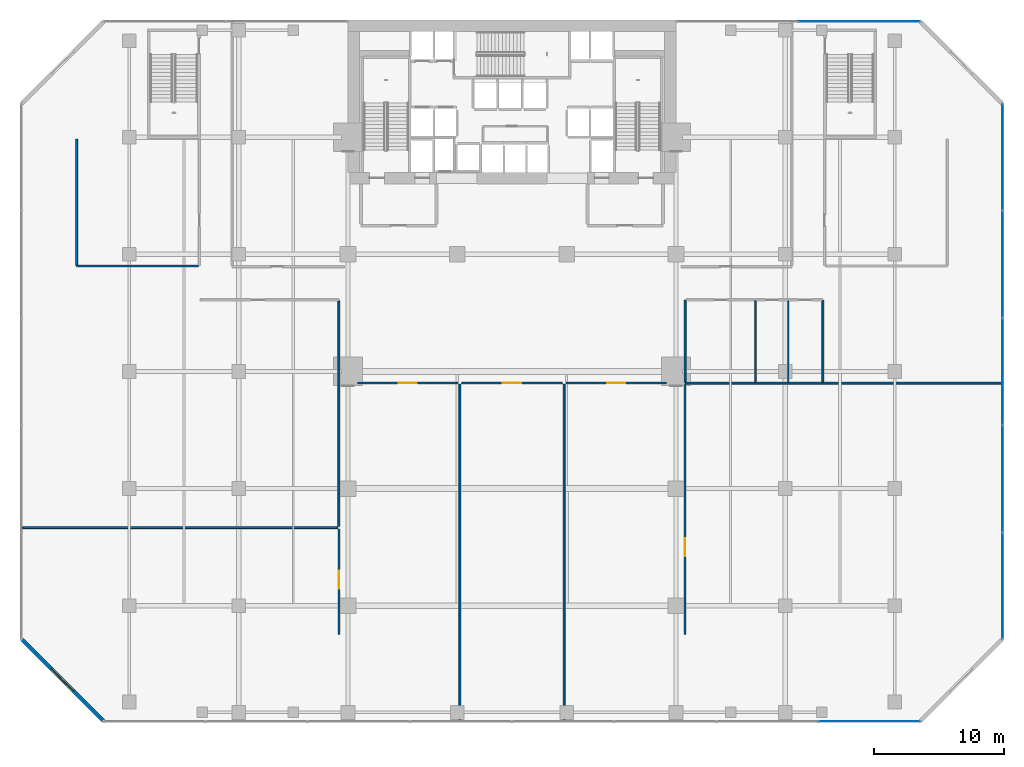
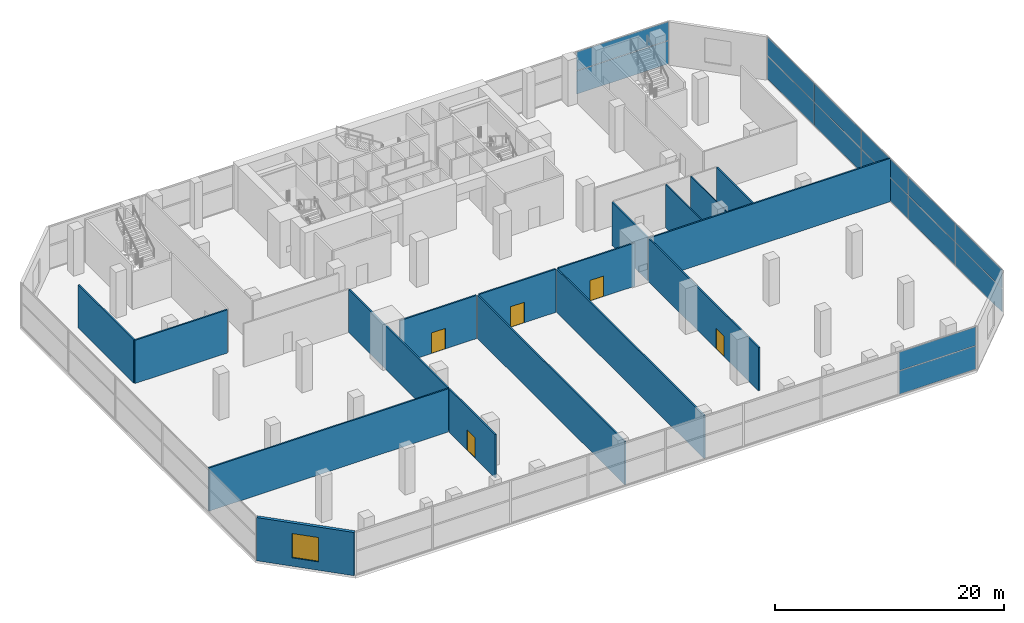
# One storey, part 34 of 39: 17 walls, 14 plates, 5 doors, 1 window, 6 openings, 3 elements without a shape of their own.
"""IFC4 building model written with IfcOpenShell, lengths in metres."""

from ifc_helpers import new_model, si_unit, direction, frame, frame_2d, origin, origin_2d, place, context, subcontext, project, spatial, rectangle, extrude, material, layer, layer_set, type_object, element, fill, aggregate, save


model = new_model("IFC4")

# Units and contexts
model_context = context("Model", 3, precision=1e-05, world=origin(), true_north=direction((0.0, 1.0)))
body_context = subcontext(model_context, "Body", "Model", "MODEL_VIEW")
ifc_project = project(units=[si_unit("LENGTHUNIT", "METRE"), si_unit("AREAUNIT", "SQUARE_METRE"), si_unit("VOLUMEUNIT", "CUBIC_METRE"), si_unit("PLANEANGLEUNIT", "RADIAN"), si_unit("MASSUNIT", "GRAM", prefix="KILO")], contexts=[model_context])

# Site, building, storey
site_placement = place(None, origin())
site = spatial("IfcSite", under=ifc_project, at=site_placement, CompositionType="ELEMENT")
building_placement = place(site_placement, origin())
building = spatial("IfcBuilding", under=site, at=building_placement, Name="Maruvema Waterfront Hotel and Observation Tower", CompositionType="ELEMENT")
storey_placement = place(building_placement, frame((0.0, 0.0, 16.449951171875)))
storey = spatial("IfcBuildingStorey", under=building, at=storey_placement, Name="L03", CompositionType="ELEMENT", Elevation=16.449951171875)

# Curtain wall, plates
ifc_material_1 = material(Name="Anodised bronze aluminium and solar-control low-E IGU", Category="aluminium")
ifc_layer_1 = layer(ifc_material_1, 0.159912109375, Name="Podium Waterfront Storefront Curtain Wall System CW-01")
ifc_layer_set_1 = layer_set([ifc_layer_1], Name="Anodised bronze aluminium and solar-control low-E IGU")
curtain_wall_type = type_object("IfcCurtainWallType", Name="Podium Waterfront Storefront Curtain Wall System CW-01", PredefinedType="USERDEFINED", material=ifc_layer_set_1)
curtain_wall_1_placement = place(storey_placement, origin())
curtain_wall_1 = element("IfcCurtainWall", 1, at=curtain_wall_1_placement, inside=storey, type_object=curtain_wall_type, Name="L03 Curtain Wall CW-L03-S", ObjectType="UNITISED CURTAIN WALL", PredefinedType="USERDEFINED")
ifc_material_2 = material(Name="Laminated low-E solar-control double glazing", Category="glass")
ifc_layer_2 = layer(ifc_material_2, 0.035888671875, Name="Solar Control Double-Glazed Curtain Panel 36 mm")
ifc_layer_set_2 = layer_set([ifc_layer_2], Name="Laminated low-E solar-control double glazing")
plate_type = type_object("IfcPlateType", Name="Solar Control Double-Glazed Curtain Panel 36 mm", PredefinedType="CURTAIN_PANEL", material=ifc_layer_set_2)
plate_1_placement = place(storey_placement, frame((65.260009765625, 0.1201171875, 0.06005859375), z_axis=(0.0, 0.0, 1.0), x_axis=(1.0, 0.0, 0.0)))
plate_1 = element("IfcPlate", 2, at=plate_1_placement, type_object=plate_type, Name="CW-01 panel 8.1", PredefinedType="CURTAIN_PANEL", context=body_context, shape_type="SweptSolid", body=[
    extrude(rectangle(XDim=7.760009765625, YDim=0.028076171875, at=origin_2d()), origin(), (0.0, 0.0, 1.0), 2.4599609375),
])
plate_2_placement = place(storey_placement, frame((65.260009765625, 0.1201171875, 2.580078125), z_axis=(0.0, 0.0, 1.0), x_axis=(1.0, 0.0, 0.0)))
plate_2 = element("IfcPlate", 3, at=plate_2_placement, type_object=plate_type, Name="CW-01 panel 8.2", PredefinedType="CURTAIN_PANEL", context=body_context, shape_type="SweptSolid", body=[
    extrude(rectangle(XDim=7.760009765625, YDim=0.028076171875, at=origin_2d()), origin(), (0.0, 0.0, 1.0), 1.97998046875),
])
aggregate(curtain_wall_1, [plate_1, plate_2])

curtain_wall_2_placement = place(storey_placement, origin())
curtain_wall_2 = element("IfcCurtainWall", 4, at=curtain_wall_2_placement, inside=storey, type_object=curtain_wall_type, Name="L03 Curtain Wall CW-L03-E", ObjectType="UNITISED CURTAIN WALL", PredefinedType="USERDEFINED")
plate_3_placement = place(storey_placement, frame((75.47998046875, 10.534912109375, 0.06005859375), z_axis=(0.0, 0.0, 1.0), x_axis=(0.0, 1.0, 0.0)))
plate_3 = element("IfcPlate", 5, at=plate_3_placement, type_object=plate_type, Name="CW-01 panel 1.1", PredefinedType="CURTAIN_PANEL", context=body_context, shape_type="SweptSolid", body=[
    extrude(rectangle(XDim=8.14990234375, YDim=0.028076171875, at=origin_2d()), origin(), (0.0, 0.0, 1.0), 2.4599609375),
])
plate_4_placement = place(storey_placement, frame((75.47998046875, 10.534912109375, 2.580078125), z_axis=(0.0, 0.0, 1.0), x_axis=(0.0, 1.0, 0.0)))
plate_4 = element("IfcPlate", 6, at=plate_4_placement, type_object=plate_type, Name="CW-01 panel 1.2", PredefinedType="CURTAIN_PANEL", context=body_context, shape_type="SweptSolid", body=[
    extrude(rectangle(XDim=8.14990234375, YDim=0.028076171875, at=origin_2d()), origin(), (0.0, 0.0, 1.0), 1.97998046875),
])
plate_5_placement = place(storey_placement, frame((75.47998046875, 18.760009765625, 0.06005859375), z_axis=(0.0, 0.0, 1.0), x_axis=(0.0, 1.0, 0.0)))
plate_5 = element("IfcPlate", 7, at=plate_5_placement, type_object=plate_type, Name="CW-01 panel 2.1", PredefinedType="CURTAIN_PANEL", context=body_context, shape_type="SweptSolid", body=[
    extrude(rectangle(XDim=8.179931640625, YDim=0.028076171875, at=origin_2d()), origin(), (0.0, 0.0, 1.0), 2.4599609375),
])
plate_6_placement = place(storey_placement, frame((75.47998046875, 18.760009765625, 2.580078125), z_axis=(0.0, 0.0, 1.0), x_axis=(0.0, 1.0, 0.0)))
plate_6 = element("IfcPlate", 8, at=plate_6_placement, type_object=plate_type, Name="CW-01 panel 2.2", PredefinedType="CURTAIN_PANEL", context=body_context, shape_type="SweptSolid", body=[
    extrude(rectangle(XDim=8.179931640625, YDim=0.028076171875, at=origin_2d()), origin(), (0.0, 0.0, 1.0), 1.97998046875),
])
plate_7_placement = place(storey_placement, frame((75.47998046875, 27.0, 0.06005859375), z_axis=(0.0, 0.0, 1.0), x_axis=(0.0, 1.0, 0.0)))
plate_7 = element("IfcPlate", 9, at=plate_7_placement, type_object=plate_type, Name="CW-01 panel 3.1", PredefinedType="CURTAIN_PANEL", context=body_context, shape_type="SweptSolid", body=[
    extrude(rectangle(XDim=8.179931640625, YDim=0.028076171875, at=origin_2d()), origin(), (0.0, 0.0, 1.0), 2.4599609375),
])
plate_8_placement = place(storey_placement, frame((75.47998046875, 27.0, 2.580078125), z_axis=(0.0, 0.0, 1.0), x_axis=(0.0, 1.0, 0.0)))
plate_8 = element("IfcPlate", 10, at=plate_8_placement, type_object=plate_type, Name="CW-01 panel 3.2", PredefinedType="CURTAIN_PANEL", context=body_context, shape_type="SweptSolid", body=[
    extrude(rectangle(XDim=8.179931640625, YDim=0.028076171875, at=origin_2d()), origin(), (0.0, 0.0, 1.0), 1.97998046875),
])
plate_9_placement = place(storey_placement, frame((75.47998046875, 35.239990234375, 0.06005859375), z_axis=(0.0, 0.0, 1.0), x_axis=(0.0, 1.0, 0.0)))
plate_9 = element("IfcPlate", 11, at=plate_9_placement, type_object=plate_type, Name="CW-01 panel 4.1", PredefinedType="CURTAIN_PANEL", context=body_context, shape_type="SweptSolid", body=[
    extrude(rectangle(XDim=8.179931640625, YDim=0.028076171875, at=origin_2d()), origin(), (0.0, 0.0, 1.0), 2.4599609375),
])
plate_10_placement = place(storey_placement, frame((75.47998046875, 35.239990234375, 2.580078125), z_axis=(0.0, 0.0, 1.0), x_axis=(0.0, 1.0, 0.0)))
plate_10 = element("IfcPlate", 12, at=plate_10_placement, type_object=plate_type, Name="CW-01 panel 4.2", PredefinedType="CURTAIN_PANEL", context=body_context, shape_type="SweptSolid", body=[
    extrude(rectangle(XDim=8.179931640625, YDim=0.028076171875, at=origin_2d()), origin(), (0.0, 0.0, 1.0), 1.97998046875),
])
plate_11_placement = place(storey_placement, frame((75.47998046875, 43.465087890625, 0.06005859375), z_axis=(0.0, 0.0, 1.0), x_axis=(0.0, 1.0, 0.0)))
plate_11 = element("IfcPlate", 13, at=plate_11_placement, type_object=plate_type, Name="CW-01 panel 5.1", PredefinedType="CURTAIN_PANEL", context=body_context, shape_type="SweptSolid", body=[
    extrude(rectangle(XDim=8.14990234375, YDim=0.028076171875, at=origin_2d()), origin(), (0.0, 0.0, 1.0), 2.4599609375),
])
plate_12_placement = place(storey_placement, frame((75.47998046875, 43.465087890625, 2.580078125), z_axis=(0.0, 0.0, 1.0), x_axis=(0.0, 1.0, 0.0)))
plate_12 = element("IfcPlate", 14, at=plate_12_placement, type_object=plate_type, Name="CW-01 panel 5.2", PredefinedType="CURTAIN_PANEL", context=body_context, shape_type="SweptSolid", body=[
    extrude(rectangle(XDim=8.14990234375, YDim=0.028076171875, at=origin_2d()), origin(), (0.0, 0.0, 1.0), 1.97998046875),
])
aggregate(curtain_wall_2, [plate_3, plate_4, plate_5, plate_6, plate_7, plate_8, plate_9, plate_10, plate_11, plate_12])

curtain_wall_3_placement = place(storey_placement, origin())
curtain_wall_3 = element("IfcCurtainWall", 15, at=curtain_wall_3_placement, inside=storey, type_object=curtain_wall_type, Name="L03 Curtain Wall CW-L03-NE", ObjectType="UNITISED CURTAIN WALL", PredefinedType="USERDEFINED")
plate_13_placement = place(storey_placement, frame((64.485107421875, 53.8798828125, 0.06005859375), z_axis=(0.0, 0.0, 1.0), x_axis=(-1.0, 0.0, 0.0)))
plate_13 = element("IfcPlate", 16, at=plate_13_placement, type_object=plate_type, Name="CW-01 panel 1.1", PredefinedType="CURTAIN_PANEL", context=body_context, shape_type="SweptSolid", body=[
    extrude(rectangle(XDim=9.31005859375, YDim=0.028076171875, at=origin_2d()), origin(), (0.0, 0.0, 1.0), 2.4599609375),
])
plate_14_placement = place(storey_placement, frame((64.485107421875, 53.8798828125, 2.580078125), z_axis=(0.0, 0.0, 1.0), x_axis=(-1.0, 0.0, 0.0)))
plate_14 = element("IfcPlate", 17, at=plate_14_placement, type_object=plate_type, Name="CW-01 panel 1.2", PredefinedType="CURTAIN_PANEL", context=body_context, shape_type="SweptSolid", body=[
    extrude(rectangle(XDim=9.31005859375, YDim=0.028076171875, at=origin_2d()), origin(), (0.0, 0.0, 1.0), 1.97998046875),
])
aggregate(curtain_wall_3, [plate_13, plate_14])

# Wall, opening, door
ifc_material_3 = material(Name="Twin-stud acoustic gypsum drywall", Category="gypsum")
ifc_layer_3 = layer(ifc_material_3, 0.14990234375, Name="Acoustic Corridor and Suite Demising Wall 150 mm")
ifc_layer_set_3 = layer_set([ifc_layer_3], Name="Twin-stud acoustic gypsum drywall")
wall_type_1 = type_object("IfcWallType", Name="Acoustic Corridor and Suite Demising Wall 150 mm", PredefinedType="PARTITIONING", material=ifc_layer_set_3)
wall_1_placement = place(storey_placement, frame((25.929931640625, 26.10009765625, 0.0), z_axis=(0.0, 0.0, 1.0), x_axis=(1.0, 0.0, 0.0)))
wall_1 = element("IfcWall", 18, at=wall_1_placement, inside=storey, type_object=wall_type_1, Name="L03 L03 Meeting Wall 1 013", PredefinedType="PARTITIONING", context=body_context, shape_type="SweptSolid", body=[
    extrude(rectangle(XDim=7.739990234375, YDim=0.14990234375, at=frame_2d((3.8701171875, 0.0))), origin(), (0.0, 0.0, 1.0), 4.6201171875),
])
opening_1_placement = place(wall_1_placement, frame((3.169921875, 0.0, 0.0)))
opening_1 = element("IfcOpeningElement", 19, at=opening_1_placement, cuts=wall_1, Name="Opening DR-140", PredefinedType="OPENING", context=body_context, shape_type="SweptSolid", body=[
    extrude(rectangle(XDim=1.39990234375, YDim=2.199951171875, at=frame_2d((0.699951171875, 1.10009765625))), frame((0.0, 0.0849609375, 0.0), z_axis=(0.0, -1.0, 0.0), x_axis=(1.0, 0.0, 0.0)), (0.0, 0.0, 1.0), 0.169921875),
])
ifc_material_4 = material(Name="Anodised bronze framed acoustic glass leaf", Category="glass")
door_type = type_object("IfcDoorType", Name="Conference and Restaurant Double Door 1400x2200 mm", OperationType="DOUBLE_DOOR_SINGLE_SWING", PredefinedType="DOOR", material=ifc_material_4)
door_1_placement = place(opening_1_placement, origin())
door_1 = element("IfcDoor", 20, at=door_1_placement, inside=storey, type_object=door_type, Name="L03 Meeting Room 1 Door", OperationType="DOUBLE_DOOR_SINGLE_SWING", OverallHeight=2.199951171875, OverallWidth=1.39990234375, PredefinedType="DOOR", context=body_context, shape_type="SweptSolid", body=[
    extrude(rectangle(XDim=1.39990234375, YDim=2.199951171875, at=frame_2d((0.699951171875, 1.10009765625))), frame((0.0, 0.02490234375, 0.0), z_axis=(0.0, -1.0, 0.0), x_axis=(1.0, 0.0, 0.0)), (0.0, 0.0, 1.0), 0.050048828125),
])
fill(opening_1, door_1)

wall_2_placement = place(storey_placement, frame((33.929931640625, 26.10009765625, 0.0), z_axis=(0.0, 0.0, 1.0), x_axis=(1.0, 0.0, 0.0)))
wall_2 = element("IfcWall", 21, at=wall_2_placement, inside=storey, type_object=wall_type_1, Name="L03 L03 Meeting Wall 2 014", PredefinedType="PARTITIONING", context=body_context, shape_type="SweptSolid", body=[
    extrude(rectangle(XDim=7.739990234375, YDim=0.14990234375, at=frame_2d((3.8701171875, 0.0))), origin(), (0.0, 0.0, 1.0), 4.6201171875),
])
opening_2_placement = place(wall_2_placement, frame((3.169921875, 0.0, 0.0)))
opening_2 = element("IfcOpeningElement", 22, at=opening_2_placement, cuts=wall_2, Name="Opening DR-140", PredefinedType="OPENING", context=body_context, shape_type="SweptSolid", body=[
    extrude(rectangle(XDim=1.39990234375, YDim=2.199951171875, at=frame_2d((0.699951171875, 1.10009765625))), frame((0.0, 0.0849609375, 0.0), z_axis=(0.0, -1.0, 0.0), x_axis=(1.0, 0.0, 0.0)), (0.0, 0.0, 1.0), 0.169921875),
])
door_2_placement = place(opening_2_placement, origin())
door_2 = element("IfcDoor", 23, at=door_2_placement, inside=storey, type_object=door_type, Name="L03 Meeting Room 2 Door", OperationType="DOUBLE_DOOR_SINGLE_SWING", OverallHeight=2.199951171875, OverallWidth=1.39990234375, PredefinedType="DOOR", context=body_context, shape_type="SweptSolid", body=[
    extrude(rectangle(XDim=1.39990234375, YDim=2.199951171875, at=frame_2d((0.699951171875, 1.10009765625))), frame((0.0, 0.02490234375, 0.0), z_axis=(0.0, -1.0, 0.0), x_axis=(1.0, 0.0, 0.0)), (0.0, 0.0, 1.0), 0.050048828125),
])
fill(opening_2, door_2)

wall_3_placement = place(storey_placement, frame((41.929931640625, 26.10009765625, 0.0), z_axis=(0.0, 0.0, 1.0), x_axis=(1.0, 0.0, 0.0)))
wall_3 = element("IfcWall", 24, at=wall_3_placement, inside=storey, type_object=wall_type_1, Name="L03 L03 Meeting Wall 3 015", PredefinedType="PARTITIONING", context=body_context, shape_type="SweptSolid", body=[
    extrude(rectangle(XDim=7.739990234375, YDim=0.14990234375, at=frame_2d((3.8701171875, 0.0))), origin(), (0.0, 0.0, 1.0), 4.6201171875),
])
opening_3_placement = place(wall_3_placement, frame((3.169921875, 0.0, 0.0)))
opening_3 = element("IfcOpeningElement", 25, at=opening_3_placement, cuts=wall_3, Name="Opening DR-140", PredefinedType="OPENING", context=body_context, shape_type="SweptSolid", body=[
    extrude(rectangle(XDim=1.39990234375, YDim=2.199951171875, at=frame_2d((0.699951171875, 1.10009765625))), frame((0.0, 0.0849609375, 0.0), z_axis=(0.0, -1.0, 0.0), x_axis=(1.0, 0.0, 0.0)), (0.0, 0.0, 1.0), 0.169921875),
])
door_3_placement = place(opening_3_placement, origin())
door_3 = element("IfcDoor", 26, at=door_3_placement, inside=storey, type_object=door_type, Name="L03 Meeting Room 3 Door", OperationType="DOUBLE_DOOR_SINGLE_SWING", OverallHeight=2.199951171875, OverallWidth=1.39990234375, PredefinedType="DOOR", context=body_context, shape_type="SweptSolid", body=[
    extrude(rectangle(XDim=1.39990234375, YDim=2.199951171875, at=frame_2d((0.699951171875, 1.10009765625))), frame((0.0, 0.02490234375, 0.0), z_axis=(0.0, -1.0, 0.0), x_axis=(1.0, 0.0, 0.0)), (0.0, 0.0, 1.0), 0.050048828125),
])
fill(opening_3, door_3)

# Walls
for number, where, z_axis, x_axis, name in (
    (27, (33.800048828125, 0.219970703125, 0.0), (0.0, 0.0, 1.0), (0.0, 1.0, 0.0), "L03 L03 Meeting Split 016"),
    (28, (41.800048828125, 0.219970703125, 0.0), (0.0, 0.0, 1.0), (0.0, 1.0, 0.0), "L03 L03 Meeting Split 017"),
):
    element("IfcWall", number, at=place(storey_placement, frame(where, z_axis=z_axis, x_axis=x_axis)), inside=storey, type_object=wall_type_1, Name=name, PredefinedType="PARTITIONING", context=body_context, shape_type="SweptSolid", body=[
        extrude(rectangle(XDim=25.800048828125, YDim=0.14990234375, at=frame_2d((12.89990234375, 0.0))), origin(), (0.0, 0.0, 1.0), 4.6201171875),
    ])
wall_4_placement = place(storey_placement, frame((0.219970703125, 15.0, 0.0), z_axis=(0.0, 0.0, 1.0), x_axis=(1.0, 0.0, 0.0)))
element("IfcWall", 29, at=wall_4_placement, inside=storey, type_object=wall_type_1, Name="L03 L03 West Split 018", PredefinedType="PARTITIONING", context=body_context, shape_type="SweptSolid", body=[
    extrude(rectangle(XDim=24.179931640625, YDim=0.14990234375, at=frame_2d((12.08984375, 0.0))), origin(), (0.0, 0.0, 1.0), 4.6201171875),
])

# Wall, opening, door
wall_5_placement = place(storey_placement, frame((24.5, 6.800048828125, 0.0), z_axis=(0.0, 0.0, 1.0), x_axis=(0.0, 1.0, 0.0)))
wall_5 = element("IfcWall", 30, at=wall_5_placement, inside=storey, type_object=wall_type_1, Name="L03 L03 Kitchen East Wall 020", PredefinedType="PARTITIONING", context=body_context, shape_type="SweptSolid", body=[
    extrude(rectangle(XDim=8.099853515625, YDim=0.14990234375, at=frame_2d((4.0498046875, 0.0))), origin(), (0.0, 0.0, 1.0), 4.6201171875),
])
opening_4_placement = place(wall_5_placement, frame((3.5, 0.0, 0.0)))
opening_4 = element("IfcOpeningElement", 31, at=opening_4_placement, cuts=wall_5, Name="Opening DR-140", PredefinedType="OPENING", context=body_context, shape_type="SweptSolid", body=[
    extrude(rectangle(XDim=1.39990234375, YDim=2.199951171875, at=frame_2d((0.699951171875, 1.10009765625))), frame((0.0, 0.0849609375, 0.0), z_axis=(0.0, -1.0, 0.0), x_axis=(1.0, 0.0, 0.0)), (0.0, 0.0, 1.0), 0.169921875),
])
door_4_placement = place(opening_4_placement, origin())
door_4 = element("IfcDoor", 32, at=door_4_placement, inside=storey, type_object=door_type, Name="L03 Banquet Kitchen Door", OperationType="DOUBLE_DOOR_SINGLE_SWING", OverallHeight=2.199951171875, OverallWidth=1.39990234375, PredefinedType="DOOR", context=body_context, shape_type="SweptSolid", body=[
    extrude(rectangle(XDim=1.39990234375, YDim=2.199951171875, at=frame_2d((0.699951171875, 1.10009765625))), frame((0.0, 0.02490234375, 0.0), z_axis=(0.0, -1.0, 0.0), x_axis=(1.0, 0.0, 0.0)), (0.0, 0.0, 1.0), 0.050048828125),
])
fill(opening_4, door_4)

# Walls
wall_6_placement = place(storey_placement, frame((24.5, 15.10009765625, 0.0), z_axis=(0.0, 0.0, 1.0), x_axis=(0.0, 1.0, 0.0)))
element("IfcWall", 33, at=wall_6_placement, inside=storey, type_object=wall_type_1, Name="L03 L03 Boardroom East Wall 021", PredefinedType="PARTITIONING", context=body_context, shape_type="SweptSolid", body=[
    extrude(rectangle(XDim=17.31982421875, YDim=0.14990234375, at=frame_2d((8.659912109375, 0.0))), origin(), (0.0, 0.0, 1.0), 4.6201171875),
])
wall_7_placement = place(storey_placement, frame((4.35009765625, 35.10009765625, 0.0), z_axis=(0.0, 0.0, 1.0), x_axis=(1.0, 0.0, 0.0)))
element("IfcWall", 34, at=wall_7_placement, inside=storey, type_object=wall_type_1, Name="L03 L03 Catering South Wall 025", PredefinedType="PARTITIONING", context=body_context, shape_type="SweptSolid", body=[
    extrude(rectangle(XDim=9.349853515625, YDim=0.14990234375, at=frame_2d((4.6748046875, 0.0))), origin(), (0.0, 0.0, 1.0), 4.6201171875),
])
wall_8_placement = place(storey_placement, frame((4.35009765625, 35.14990234375, 0.0), z_axis=(0.0, 0.0, 1.0), x_axis=(0.0, 1.0, 0.0)))
element("IfcWall", 35, at=wall_8_placement, inside=storey, type_object=wall_type_1, Name="L03 L03 Catering West Wall 026", PredefinedType="PARTITIONING", context=body_context, shape_type="SweptSolid", body=[
    extrude(rectangle(XDim=9.7001953125, YDim=0.14990234375, at=frame_2d((4.85009765625, 0.0))), origin(), (0.0, 0.0, 1.0), 4.6201171875),
])
for number, where, z_axis, x_axis, name in (
    (36, (51.10009765625, 26.179931640625, 0.0), (0.0, 0.0, 1.0), (0.0, 1.0, 0.0), "L03 L03 Toilet West Wall 030"),
    (37, (61.679931640625, 26.179931640625, 0.0), (0.0, 0.0, 1.0), (0.0, 1.0, 0.0), "L03 L03 Acc WC East Wall 031"),
):
    element("IfcWall", number, at=place(storey_placement, frame(where, z_axis=z_axis, x_axis=x_axis)), inside=storey, type_object=wall_type_1, Name=name, PredefinedType="PARTITIONING", context=body_context, shape_type="SweptSolid", body=[
        extrude(rectangle(XDim=6.27001953125, YDim=0.14990234375, at=frame_2d((3.135009765625, 0.0))), origin(), (0.0, 0.0, 1.0), 4.6201171875),
    ])

# Wall, opening, door
wall_9_placement = place(storey_placement, frame((51.10009765625, 6.800048828125, 0.0), z_axis=(0.0, 0.0, 1.0), x_axis=(0.0, 1.0, 0.0)))
wall_9 = element("IfcWall", 38, at=wall_9_placement, inside=storey, type_object=wall_type_1, Name="L03 L03 Seminar West Wall 034", PredefinedType="PARTITIONING", context=body_context, shape_type="SweptSolid", body=[
    extrude(rectangle(XDim=19.199951171875, YDim=0.14990234375, at=frame_2d((9.60009765625, 0.0))), origin(), (0.0, 0.0, 1.0), 4.6201171875),
])
opening_5_placement = place(wall_9_placement, frame((6.0, 0.0, 0.0)))
opening_5 = element("IfcOpeningElement", 39, at=opening_5_placement, cuts=wall_9, Name="Opening DR-140", PredefinedType="OPENING", context=body_context, shape_type="SweptSolid", body=[
    extrude(rectangle(XDim=1.39990234375, YDim=2.199951171875, at=frame_2d((0.699951171875, 1.10009765625))), frame((0.0, 0.0849609375, 0.0), z_axis=(0.0, -1.0, 0.0), x_axis=(1.0, 0.0, 0.0)), (0.0, 0.0, 1.0), 0.169921875),
])
door_5_placement = place(opening_5_placement, frame((1.39990234375, 0.0, 0.0), z_axis=(0.0, 0.0, 1.0), x_axis=(-1.0, 0.0, 0.0)))
door_5 = element("IfcDoor", 40, at=door_5_placement, inside=storey, type_object=door_type, Name="L03 Seminar Door", OperationType="DOUBLE_DOOR_SINGLE_SWING", OverallHeight=2.199951171875, OverallWidth=1.39990234375, PredefinedType="DOOR", context=body_context, shape_type="SweptSolid", body=[
    extrude(rectangle(XDim=1.39990234375, YDim=2.199951171875, at=frame_2d((0.699951171875, 1.10009765625))), frame((0.0, 0.02490234375, 0.0), z_axis=(0.0, -1.0, 0.0), x_axis=(1.0, 0.0, 0.0)), (0.0, 0.0, 1.0), 0.050048828125),
])
fill(opening_5, door_5)

# Walls
wall_10_placement = place(storey_placement, frame((51.1201171875, 26.10009765625, 0.0), z_axis=(0.0, 0.0, 1.0), x_axis=(1.0, 0.0, 0.0)))
element("IfcWall", 41, at=wall_10_placement, inside=storey, type_object=wall_type_1, Name="L03 L03 Seminar North Wall 035", PredefinedType="PARTITIONING", context=body_context, shape_type="SweptSolid", body=[
    extrude(rectangle(XDim=24.33984375, YDim=0.14990234375, at=frame_2d((12.169921875, 0.0))), origin(), (0.0, 0.0, 1.0), 4.6201171875),
])
ifc_material_5 = material(Name="Moisture-resistant cement-board drywall", Category="gypsum")
ifc_layer_4 = layer(ifc_material_5, 0.10009765625, Name="En-Suite Moisture-Resistant Partition 100 mm")
ifc_layer_set_4 = layer_set([ifc_layer_4], Name="Moisture-resistant cement-board drywall")
wall_type_2 = type_object("IfcWallType", Name="En-Suite Moisture-Resistant Partition 100 mm", PredefinedType="PARTITIONING", material=ifc_layer_set_4)
for number, where, z_axis, x_axis, name in (
    (42, (56.5, 26.179931640625, 0.0), (0.0, 0.0, 1.0), (0.0, 1.0, 0.0), "L03 L03 WC Split 032"),
    (43, (59.02001953125, 26.179931640625, 0.0), (0.0, 0.0, 1.0), (0.0, 1.0, 0.0), "L03 L03 WC Linen Split 033"),
):
    element("IfcWall", number, at=place(storey_placement, frame(where, z_axis=z_axis, x_axis=x_axis)), inside=storey, type_object=wall_type_2, Name=name, PredefinedType="PARTITIONING", context=body_context, shape_type="SweptSolid", body=[
        extrude(rectangle(XDim=6.239990234375, YDim=0.10009765625, at=frame_2d((3.1201171875, 0.0))), origin(), (0.0, 0.0, 1.0), 4.6201171875),
    ])

# Wall, opening, window
ifc_material_6 = material(Name="Precast concrete C45/55 with honed Pernambuco granite facing", Category="masonry")
ifc_layer_5 = layer(ifc_material_6, 0.300048828125, Name="Podium Waterfront Granite Colonnade Wall 300 mm")
ifc_layer_set_5 = layer_set([ifc_layer_5], Name="Precast concrete C45/55 with honed Pernambuco granite facing")
wall_type_3 = type_object("IfcWallType", Name="Podium Waterfront Granite Colonnade Wall 300 mm", PredefinedType="SOLIDWALL", material=ifc_layer_set_5)
wall_11_placement = place(storey_placement, frame((0.14990234375, 6.39990234375, 0.0), z_axis=(0.0, 0.0, 1.0), x_axis=(0.707106781187, -0.707106781187, 0.0)))
wall_11 = element("IfcWall", 44, at=wall_11_placement, inside=storey, type_object=wall_type_3, Name="L03 Podium Chamfer Granite Pier Wall SW", PredefinedType="SOLIDWALL", context=body_context, shape_type="SweptSolid", body=[
    extrude(rectangle(XDim=8.8388671875, YDim=0.300048828125, at=frame_2d((4.41943359375, 0.0))), origin(), (0.0, 0.0, 1.0), 4.6201171875),
])
opening_6_placement = place(wall_11_placement, frame((3.199951171875, 0.0, 0.89990234375)))
opening_6 = element("IfcOpeningElement", 45, at=opening_6_placement, cuts=wall_11, Name="Opening WN-04", PredefinedType="OPENING", context=body_context, shape_type="SweptSolid", body=[
    extrude(rectangle(XDim=2.39990234375, YDim=2.60009765625, at=frame_2d((1.199951171875, 1.300048828125))), frame((0.0, 0.16015625, 0.0), z_axis=(0.0, -1.0, 0.0), x_axis=(1.0, 0.0, 0.0)), (0.0, 0.0, 1.0), 0.320068359375),
])
ifc_material_7 = material(Name="Anodised bronze aluminium frame with laminated low-E glass", Category="aluminium")
window_type = type_object("IfcWindowType", Name="Podium Waterfront Punched Window 2400x2600 mm", PartitioningType="SINGLE_PANEL", PredefinedType="WINDOW", material=ifc_material_7)
window_placement = place(opening_6_placement, origin())
window = element("IfcWindow", 46, at=window_placement, inside=storey, type_object=window_type, Name="L03 Podium Chamfer Feature Window SW", OverallHeight=2.60009765625, OverallWidth=2.39990234375, PartitioningType="SINGLE_PANEL", PredefinedType="WINDOW", context=body_context, shape_type="SweptSolid", body=[
    extrude(rectangle(XDim=2.39990234375, YDim=2.60009765625, at=frame_2d((1.199951171875, 1.300048828125))), frame((0.0, 0.030029296875, 0.0), z_axis=(0.0, -1.0, 0.0), x_axis=(1.0, 0.0, 0.0)), (0.0, 0.0, 1.0), 0.06005859375),
])
fill(opening_6, window)

save(model, "model.ifc")
